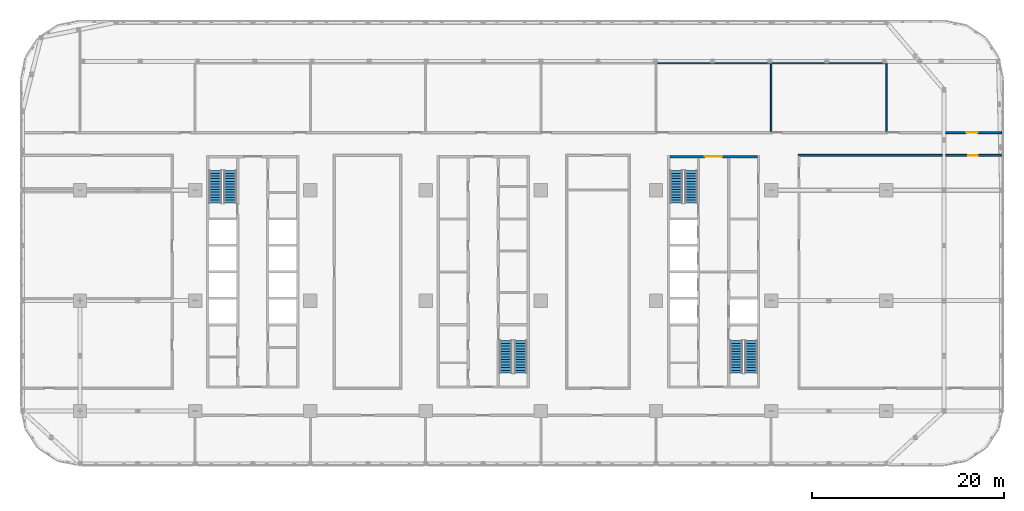
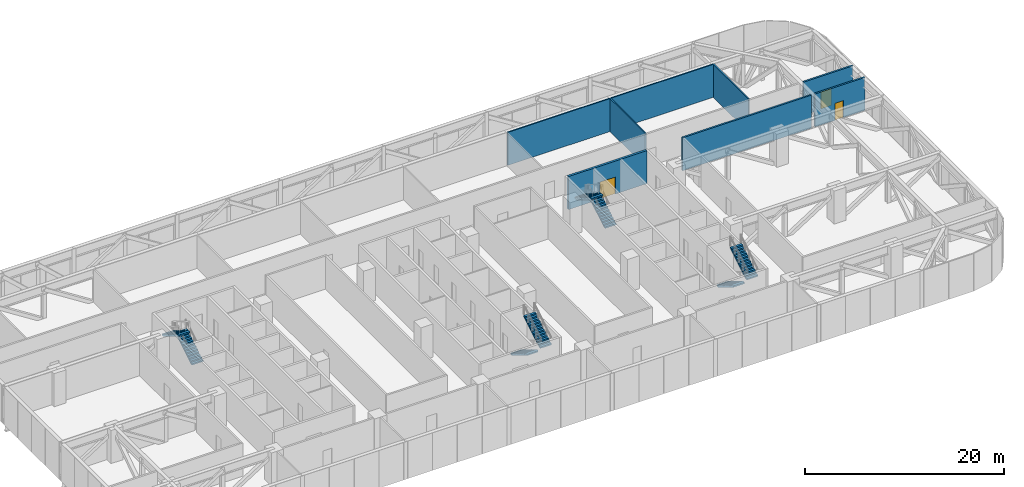
# One storey, part 13 of 26: 8 stair flights, 8 walls, 3 doors, 3 openings, 4 elements without a shape of their own.
"""IFC4 building model written with IfcOpenShell, lengths in metres."""

from ifc_helpers import new_model, si_unit, direction, frame, frame_2d, origin, place, context, subcontext, project, spatial, polyline, rectangle, outline, extrude, material, layer, layer_set, type_object, element, fill, aggregate, save


model = new_model("IFC4")

# Units and contexts
model_context = context("Model", 3, precision=1e-05, world=origin(), true_north=direction((0.0, 1.0)))
body_context = subcontext(model_context, "Body", "Model", "MODEL_VIEW")
ifc_project = project(units=[si_unit("LENGTHUNIT", "METRE"), si_unit("AREAUNIT", "SQUARE_METRE"), si_unit("VOLUMEUNIT", "CUBIC_METRE"), si_unit("PLANEANGLEUNIT", "RADIAN"), si_unit("MASSUNIT", "GRAM", prefix="KILO")], contexts=[model_context])

# Site, building, storey
site_placement = place(None, origin())
site = spatial("IfcSite", under=ifc_project, at=site_placement, CompositionType="ELEMENT")
building_placement = place(site_placement, origin())
building = spatial("IfcBuilding", under=site, at=building_placement, Name="Mahtab Terrace Research Tower", CompositionType="ELEMENT")
storey_placement = place(building_placement, frame((0.0, 0.0, 117.60009765625)))
storey = spatial("IfcBuildingStorey", under=building, at=storey_placement, Name="L27", CompositionType="ELEMENT", Elevation=117.60009765625)

# Wall, opening, door
ifc_material_1 = material(Name="Concrete C70/85", Category="concrete")
ifc_layer_1 = layer(ifc_material_1, 0.25)
ifc_layer_set_1 = layer_set([ifc_layer_1], Name="Core wall 250")
wall_type_1 = type_object("IfcWallType", Name="Core wall 250", PredefinedType="SOLIDWALL", material=ifc_layer_set_1)
wall_1_placement = place(storey_placement, frame((19.449951171875, 15.0, 0.0), z_axis=(0.0, 0.0, 1.0), x_axis=(1.0, 0.0, 0.0)))
wall_1 = element("IfcWall", 1, at=wall_1_placement, inside=storey, type_object=wall_type_1, Name="Core wall C endN", PredefinedType="SOLIDWALL", context=body_context, shape_type="SweptSolid", body=[
    extrude(rectangle(XDim=9.10009765625, YDim=0.25, at=frame_2d((4.550048828125, 0.0))), origin(), (0.0, 0.0, 1.0), 4.059814453125),
])
opening_1_placement = place(wall_1_placement, frame((3.64990234375, 0.0, 0.0)))
opening_1 = element("IfcOpeningElement", 2, at=opening_1_placement, cuts=wall_1, Name="Opening C-N1", PredefinedType="OPENING", context=body_context, shape_type="SweptSolid", body=[
    extrude(rectangle(XDim=1.800048828125, YDim=2.10009765625, at=frame_2d((0.89990234375, 1.050048828125))), frame((0.0, 0.135009765625, 0.0), z_axis=(0.0, -1.0, 0.0), x_axis=(1.0, 0.0, 0.0)), (0.0, 0.0, 1.0), 0.27001953125),
])
ifc_material_2 = material(Name="Steel fire door", Category="steel")
door_type_1 = type_object("IfcDoorType", Name="Lobby double door 1800x2100 1 HR", OperationType="DOUBLE_DOOR_SINGLE_SWING", PredefinedType="DOOR", material=ifc_material_2)
door_1_placement = place(opening_1_placement, origin())
door_1 = element("IfcDoor", 3, at=door_1_placement, inside=storey, type_object=door_type_1, Name="Core entrance door C N", OperationType="DOUBLE_DOOR_SINGLE_SWING", OverallHeight=2.10009765625, OverallWidth=1.800048828125, PredefinedType="DOOR", context=body_context, shape_type="SweptSolid", body=[
    extrude(rectangle(XDim=1.800048828125, YDim=2.10009765625, at=frame_2d((0.89990234375, 1.050048828125))), frame((0.0, 0.02490234375, 0.0), z_axis=(0.0, -1.0, 0.0), x_axis=(1.0, 0.0, 0.0)), (0.0, 0.0, 1.0), 0.050048828125),
])
fill(opening_1, door_1)

# Wall
ifc_material_3 = material(Name="Gypsum board corridor wall on steel studs", Category="steel")
ifc_layer_2 = layer(ifc_material_3, 0.199951171875)
ifc_layer_set_2 = layer_set([ifc_layer_2], Name="WALL CORRIDOR 200")
wall_type_2 = type_object("IfcWallType", Name="WALL CORRIDOR 200", PredefinedType="PARTITIONING", material=ifc_layer_set_2)
wall_2_placement = place(storey_placement, frame((32.800048828125, 15.125, 0.0), z_axis=(0.0, 0.0, 1.0), x_axis=(1.0, 0.0, 0.0)))
element("IfcWall", 4, at=wall_2_placement, inside=storey, type_object=wall_type_2, Name="L27-W022", PredefinedType="PARTITIONING", context=body_context, shape_type="SweptSolid", body=[
    extrude(rectangle(XDim=15.0, YDim=0.199951171875, at=frame_2d((7.5, 0.0))), origin(), (0.0, 0.0, 1.0), 4.059814453125),
])

# Wall, opening, door
wall_3_placement = place(storey_placement, frame((48.199951171875, 15.125, 0.0), z_axis=(0.0, 0.0, 1.0), x_axis=(1.0, 0.0, 0.0)))
wall_3 = element("IfcWall", 5, at=wall_3_placement, inside=storey, type_object=wall_type_2, Name="L27-W023", PredefinedType="PARTITIONING", context=body_context, shape_type="SweptSolid", body=[
    extrude(rectangle(XDim=5.800048828125, YDim=0.199951171875, at=frame_2d((2.89990234375, 0.0))), origin(), (0.0, 0.0, 1.0), 4.059814453125),
])
opening_2_placement = place(wall_3_placement, frame((2.300048828125, 0.0, 0.0)))
opening_2 = element("IfcOpeningElement", 6, at=opening_2_placement, cuts=wall_3, Name="Opening L27-117", PredefinedType="OPENING", context=body_context, shape_type="SweptSolid", body=[
    extrude(rectangle(XDim=1.0, YDim=2.10009765625, at=frame_2d((0.5, 1.050048828125))), frame((0.0, 0.10986328125, 0.0), z_axis=(0.0, -1.0, 0.0), x_axis=(1.0, 0.0, 0.0)), (0.0, 0.0, 1.0), 0.219970703125),
])
ifc_material_4 = material(Name="Timber door leaf in steel frame", Category="steel")
door_type_2 = type_object("IfcDoorType", Name="DOOR 1000X2100 FD30S", OperationType="SINGLE_SWING_LEFT", PredefinedType="DOOR", material=ifc_material_4)
door_2_placement = place(opening_2_placement, origin())
door_2 = element("IfcDoor", 7, at=door_2_placement, inside=storey, type_object=door_type_2, Name="Door L27-117", OperationType="SINGLE_SWING_LEFT", OverallHeight=2.10009765625, OverallWidth=1.0, PredefinedType="DOOR", context=body_context, shape_type="SweptSolid", body=[
    extrude(rectangle(XDim=1.0, YDim=2.10009765625, at=frame_2d((0.5, 1.050048828125))), frame((0.0, 0.02490234375, 0.0), z_axis=(0.0, -1.0, 0.0), x_axis=(1.0, 0.0, 0.0)), (0.0, 0.0, 1.0), 0.050048828125),
])
fill(opening_2, door_2)

wall_4_placement = place(storey_placement, frame((48.199951171875, 17.5, 0.0), z_axis=(0.0, 0.0, 1.0), x_axis=(1.0, 0.0, 0.0)))
wall_4 = element("IfcWall", 8, at=wall_4_placement, inside=storey, type_object=wall_type_2, Name="L27-W025", PredefinedType="PARTITIONING", context=body_context, shape_type="SweptSolid", body=[
    extrude(rectangle(XDim=5.800048828125, YDim=0.199951171875, at=frame_2d((2.89990234375, 0.0))), origin(), (0.0, 0.0, 1.0), 4.059814453125),
])
opening_3_placement = place(wall_4_placement, frame((2.10009765625, 0.0, 0.0)))
opening_3 = element("IfcOpeningElement", 9, at=opening_3_placement, cuts=wall_4, Name="Opening L27-127", PredefinedType="OPENING", context=body_context, shape_type="SweptSolid", body=[
    extrude(rectangle(XDim=1.199951171875, YDim=2.10009765625, at=frame_2d((0.60009765625, 1.050048828125))), frame((0.0, 0.10986328125, 0.0), z_axis=(0.0, -1.0, 0.0), x_axis=(1.0, 0.0, 0.0)), (0.0, 0.0, 1.0), 0.219970703125),
])
door_type_3 = type_object("IfcDoorType", Name="DOOR 1200X2100 FD30S", OperationType="SINGLE_SWING_LEFT", PredefinedType="DOOR", material=ifc_material_4)
door_3_placement = place(opening_3_placement, origin())
door_3 = element("IfcDoor", 10, at=door_3_placement, inside=storey, type_object=door_type_3, Name="Door L27-127", OperationType="SINGLE_SWING_LEFT", OverallHeight=2.10009765625, OverallWidth=1.199951171875, PredefinedType="DOOR", context=body_context, shape_type="SweptSolid", body=[
    extrude(rectangle(XDim=1.199951171875, YDim=2.10009765625, at=frame_2d((0.60009765625, 1.050048828125))), frame((0.0, 0.02490234375, 0.0), z_axis=(0.0, -1.0, 0.0), x_axis=(1.0, 0.0, 0.0)), (0.0, 0.0, 1.0), 0.050048828125),
])
fill(opening_3, door_3)

# Walls
ifc_material_5 = material(Name="Gypsum board partition on steel studs", Category="steel")
ifc_layer_3 = layer(ifc_material_5, 0.14990234375)
ifc_layer_set_3 = layer_set([ifc_layer_3], Name="WALL PARTITION 150")
wall_type_3 = type_object("IfcWallType", Name="WALL PARTITION 150", PredefinedType="PARTITIONING", material=ifc_layer_set_3)
for number, where, z_axis, x_axis, name in (
    (11, (18.050048828125, 24.72705078125, 0.0), (0.0, 0.0, 1.0), (1.0, 0.0, 0.0), "L27-W030"),
    (12, (30.050048828125, 24.72705078125, 0.0), (0.0, 0.0, 1.0), (1.0, 0.0, 0.0), "L27-W031"),
):
    element("IfcWall", number, at=place(storey_placement, frame(where, z_axis=z_axis, x_axis=x_axis)), inside=storey, type_object=wall_type_3, Name=name, PredefinedType="PARTITIONING", context=body_context, shape_type="SweptSolid", body=[
        extrude(rectangle(XDim=11.89990234375, YDim=0.14990234375, at=frame_2d((5.949951171875, 0.0))), origin(), (0.0, 0.0, 1.0), 4.059814453125),
    ])
for number, where, z_axis, x_axis, name in (
    (13, (30.0, 17.60009765625, 0.0), (0.0, 0.0, 1.0), (0.0, 1.0, 0.0), "L27-W051"),
    (14, (42.0, 17.60009765625, 0.0), (0.0, 0.0, 1.0), (0.0, 1.0, 0.0), "L27-W055"),
):
    element("IfcWall", number, at=place(storey_placement, frame(where, z_axis=z_axis, x_axis=x_axis)), inside=storey, type_object=wall_type_3, Name=name, PredefinedType="PARTITIONING", context=body_context, shape_type="SweptSolid", body=[
        extrude(rectangle(XDim=7.126953125, YDim=0.14990234375, at=frame_2d((3.5634765625, 0.0))), origin(), (0.0, 0.0, 1.0), 4.059814453125),
    ])

# Stair, stair flights
ifc_material_6 = material(Name="Exit stair half-turn")
stair_type = type_object("IfcStairType", Name="Exit stair half-turn", PredefinedType="HALF_TURN_STAIR", material=ifc_material_6)
stair_1_placement = place(storey_placement, origin())
stair_1 = element("IfcStair", 15, at=stair_1_placement, inside=storey, type_object=stair_type, Name="L27 Protected exit stair ST1", PredefinedType="HALF_TURN_STAIR")
ifc_material_7 = material(Name="Concrete C40/50", Category="concrete")
stair_flight_type = type_object("IfcStairFlightType", Name="Exit stair flight 1300", PredefinedType="STRAIGHT", material=ifc_material_7)
stair_flight_1_placement = place(storey_placement, frame((-26.35009765625, 10.175048828125, 0.0), z_axis=(0.0, 0.0, 1.0), x_axis=(0.0, 1.0, 0.0)))
stair_flight_1 = element("IfcStairFlight", 16, at=stair_flight_1_placement, type_object=stair_flight_type, Name="ST1 flight 1", NumberOfRisers=13, NumberOfTreads=12, PredefinedType="STRAIGHT", RiserHeight=0.169230769, TreadLength=0.28, context=body_context, shape_type="SweptSolid", body=[
    extrude(outline(polyline([(0.0, 0.0), (0.0, 0.169189453125), (0.280029296875, 0.169189453125), (0.280029296875, 0.33837890625), (0.56005859375, 0.33837890625), (0.56005859375, 0.5078125), (0.840087890625, 0.5078125), (0.840087890625, 0.677001953125), (1.1201171875, 0.677001953125), (1.1201171875, 0.84619140625), (1.39990234375, 0.84619140625), (1.39990234375, 1.015380859375), (1.679931640625, 1.015380859375), (1.679931640625, 1.1845703125), (1.9599609375, 1.1845703125), (1.9599609375, 1.353759765625), (2.239990234375, 1.353759765625), (2.239990234375, 1.523193359375), (2.52001953125, 1.523193359375), (2.52001953125, 1.6923828125), (2.800048828125, 1.6923828125), (2.800048828125, 1.861572265625), (3.080078125, 1.861572265625), (3.080078125, 2.03076171875), (3.360107421875, 2.03076171875), (3.360107421875, 2.199951171875), (3.360107421875, 1.855712890625), (0.289794921875, 0.0), (0.0, 0.0)])), frame((0.0, 0.64990234375, 0.0), z_axis=(0.0, -1.0, 0.0), x_axis=(1.0, 0.0, 0.0)), (0.0, 0.0, 1.0), 1.300048828125),
])
stair_flight_2_placement = place(storey_placement, frame((-27.89990234375, 13.534912109375, 2.199951171875), z_axis=(0.0, 0.0, 1.0), x_axis=(0.0, -1.0, 0.0)))
stair_flight_2 = element("IfcStairFlight", 17, at=stair_flight_2_placement, type_object=stair_flight_type, Name="ST1 flight 2", NumberOfRisers=13, NumberOfTreads=12, PredefinedType="STRAIGHT", RiserHeight=0.169230769, TreadLength=0.28, context=body_context, shape_type="SweptSolid", body=[
    extrude(outline(polyline([(0.0, 0.0), (0.0, 0.169189453125), (0.280029296875, 0.169189453125), (0.280029296875, 0.33837890625), (0.56005859375, 0.33837890625), (0.56005859375, 0.5078125), (0.840087890625, 0.5078125), (0.840087890625, 0.677001953125), (1.1201171875, 0.677001953125), (1.1201171875, 0.84619140625), (1.39990234375, 0.84619140625), (1.39990234375, 1.015380859375), (1.679931640625, 1.015380859375), (1.679931640625, 1.1845703125), (1.9599609375, 1.1845703125), (1.9599609375, 1.353759765625), (2.239990234375, 1.353759765625), (2.239990234375, 1.523193359375), (2.52001953125, 1.523193359375), (2.52001953125, 1.6923828125), (2.800048828125, 1.6923828125), (2.800048828125, 1.861572265625), (3.080078125, 1.861572265625), (3.080078125, 2.03076171875), (3.360107421875, 2.03076171875), (3.360107421875, 2.199951171875), (3.360107421875, 1.855712890625), (0.289794921875, 0.0), (0.0, 0.0)])), frame((0.0, 0.64990234375, 0.0), z_axis=(0.0, -1.0, 0.0), x_axis=(1.0, 0.0, 0.0)), (0.0, 0.0, 1.0), 1.300048828125),
])
aggregate(stair_1, [stair_flight_1, stair_flight_2])

stair_2_placement = place(storey_placement, origin())
stair_2 = element("IfcStair", 18, at=stair_2_placement, inside=storey, type_object=stair_type, Name="L27 Protected exit stair ST2", PredefinedType="HALF_TURN_STAIR")
stair_flight_3_placement = place(storey_placement, frame((2.35009765625, -4.175048828125, 0.0), z_axis=(0.0, 0.0, 1.0), x_axis=(0.0, -1.0, 0.0)))
stair_flight_3 = element("IfcStairFlight", 19, at=stair_flight_3_placement, type_object=stair_flight_type, Name="ST2 flight 1", NumberOfRisers=13, NumberOfTreads=12, PredefinedType="STRAIGHT", RiserHeight=0.169230769, TreadLength=0.28, context=body_context, shape_type="SweptSolid", body=[
    extrude(outline(polyline([(0.0, 0.0), (0.0, 0.169189453125), (0.280029296875, 0.169189453125), (0.280029296875, 0.33837890625), (0.56005859375, 0.33837890625), (0.56005859375, 0.5078125), (0.840087890625, 0.5078125), (0.840087890625, 0.677001953125), (1.1201171875, 0.677001953125), (1.1201171875, 0.84619140625), (1.39990234375, 0.84619140625), (1.39990234375, 1.015380859375), (1.679931640625, 1.015380859375), (1.679931640625, 1.1845703125), (1.9599609375, 1.1845703125), (1.9599609375, 1.353759765625), (2.239990234375, 1.353759765625), (2.239990234375, 1.523193359375), (2.52001953125, 1.523193359375), (2.52001953125, 1.6923828125), (2.800048828125, 1.6923828125), (2.800048828125, 1.861572265625), (3.080078125, 1.861572265625), (3.080078125, 2.03076171875), (3.360107421875, 2.03076171875), (3.360107421875, 2.199951171875), (3.360107421875, 1.855712890625), (0.289794921875, 0.0), (0.0, 0.0)])), frame((0.0, 0.64990234375, 0.0), z_axis=(0.0, -1.0, 0.0), x_axis=(1.0, 0.0, 0.0)), (0.0, 0.0, 1.0), 1.300048828125),
])
stair_flight_4_placement = place(storey_placement, frame((3.89990234375, -7.534912109375, 2.199951171875), z_axis=(0.0, 0.0, 1.0), x_axis=(0.0, 1.0, 0.0)))
stair_flight_4 = element("IfcStairFlight", 20, at=stair_flight_4_placement, type_object=stair_flight_type, Name="ST2 flight 2", NumberOfRisers=13, NumberOfTreads=12, PredefinedType="STRAIGHT", RiserHeight=0.169230769, TreadLength=0.28, context=body_context, shape_type="SweptSolid", body=[
    extrude(outline(polyline([(0.0, 0.0), (0.0, 0.169189453125), (0.280029296875, 0.169189453125), (0.280029296875, 0.33837890625), (0.56005859375, 0.33837890625), (0.56005859375, 0.5078125), (0.840087890625, 0.5078125), (0.840087890625, 0.677001953125), (1.1201171875, 0.677001953125), (1.1201171875, 0.84619140625), (1.39990234375, 0.84619140625), (1.39990234375, 1.015380859375), (1.679931640625, 1.015380859375), (1.679931640625, 1.1845703125), (1.9599609375, 1.1845703125), (1.9599609375, 1.353759765625), (2.239990234375, 1.353759765625), (2.239990234375, 1.523193359375), (2.52001953125, 1.523193359375), (2.52001953125, 1.6923828125), (2.800048828125, 1.6923828125), (2.800048828125, 1.861572265625), (3.080078125, 1.861572265625), (3.080078125, 2.03076171875), (3.360107421875, 2.03076171875), (3.360107421875, 2.199951171875), (3.360107421875, 1.855712890625), (0.289794921875, 0.0), (0.0, 0.0)])), frame((0.0, 0.64990234375, 0.0), z_axis=(0.0, -1.0, 0.0), x_axis=(1.0, 0.0, 0.0)), (0.0, 0.0, 1.0), 1.300048828125),
])
aggregate(stair_2, [stair_flight_3, stair_flight_4])

stair_3_placement = place(storey_placement, origin())
stair_3 = element("IfcStair", 21, at=stair_3_placement, inside=storey, type_object=stair_type, Name="L27 Protected exit stair ST3", PredefinedType="HALF_TURN_STAIR")
stair_flight_5_placement = place(storey_placement, frame((21.64990234375, 10.175048828125, 0.0), z_axis=(0.0, 0.0, 1.0), x_axis=(0.0, 1.0, 0.0)))
stair_flight_5 = element("IfcStairFlight", 22, at=stair_flight_5_placement, type_object=stair_flight_type, Name="ST3 flight 1", NumberOfRisers=13, NumberOfTreads=12, PredefinedType="STRAIGHT", RiserHeight=0.169230769, TreadLength=0.28, context=body_context, shape_type="SweptSolid", body=[
    extrude(outline(polyline([(0.0, 0.0), (0.0, 0.169189453125), (0.280029296875, 0.169189453125), (0.280029296875, 0.33837890625), (0.56005859375, 0.33837890625), (0.56005859375, 0.5078125), (0.840087890625, 0.5078125), (0.840087890625, 0.677001953125), (1.1201171875, 0.677001953125), (1.1201171875, 0.84619140625), (1.39990234375, 0.84619140625), (1.39990234375, 1.015380859375), (1.679931640625, 1.015380859375), (1.679931640625, 1.1845703125), (1.9599609375, 1.1845703125), (1.9599609375, 1.353759765625), (2.239990234375, 1.353759765625), (2.239990234375, 1.523193359375), (2.52001953125, 1.523193359375), (2.52001953125, 1.6923828125), (2.800048828125, 1.6923828125), (2.800048828125, 1.861572265625), (3.080078125, 1.861572265625), (3.080078125, 2.03076171875), (3.360107421875, 2.03076171875), (3.360107421875, 2.199951171875), (3.360107421875, 1.855712890625), (0.289794921875, 0.0), (0.0, 0.0)])), frame((0.0, 0.64990234375, 0.0), z_axis=(0.0, -1.0, 0.0), x_axis=(1.0, 0.0, 0.0)), (0.0, 0.0, 1.0), 1.300048828125),
])
stair_flight_6_placement = place(storey_placement, frame((20.10009765625, 13.534912109375, 2.199951171875), z_axis=(0.0, 0.0, 1.0), x_axis=(0.0, -1.0, 0.0)))
stair_flight_6 = element("IfcStairFlight", 23, at=stair_flight_6_placement, type_object=stair_flight_type, Name="ST3 flight 2", NumberOfRisers=13, NumberOfTreads=12, PredefinedType="STRAIGHT", RiserHeight=0.169230769, TreadLength=0.28, context=body_context, shape_type="SweptSolid", body=[
    extrude(outline(polyline([(0.0, 0.0), (0.0, 0.169189453125), (0.280029296875, 0.169189453125), (0.280029296875, 0.33837890625), (0.56005859375, 0.33837890625), (0.56005859375, 0.5078125), (0.840087890625, 0.5078125), (0.840087890625, 0.677001953125), (1.1201171875, 0.677001953125), (1.1201171875, 0.84619140625), (1.39990234375, 0.84619140625), (1.39990234375, 1.015380859375), (1.679931640625, 1.015380859375), (1.679931640625, 1.1845703125), (1.9599609375, 1.1845703125), (1.9599609375, 1.353759765625), (2.239990234375, 1.353759765625), (2.239990234375, 1.523193359375), (2.52001953125, 1.523193359375), (2.52001953125, 1.6923828125), (2.800048828125, 1.6923828125), (2.800048828125, 1.861572265625), (3.080078125, 1.861572265625), (3.080078125, 2.03076171875), (3.360107421875, 2.03076171875), (3.360107421875, 2.199951171875), (3.360107421875, 1.855712890625), (0.289794921875, 0.0), (0.0, 0.0)])), frame((0.0, 0.64990234375, 0.0), z_axis=(0.0, -1.0, 0.0), x_axis=(1.0, 0.0, 0.0)), (0.0, 0.0, 1.0), 1.300048828125),
])
aggregate(stair_3, [stair_flight_5, stair_flight_6])

stair_4_placement = place(storey_placement, origin())
stair_4 = element("IfcStair", 24, at=stair_4_placement, inside=storey, type_object=stair_type, Name="L27 Protected exit stair ST4", PredefinedType="HALF_TURN_STAIR")
stair_flight_7_placement = place(storey_placement, frame((26.35009765625, -4.175048828125, 0.0), z_axis=(0.0, 0.0, 1.0), x_axis=(0.0, -1.0, 0.0)))
stair_flight_7 = element("IfcStairFlight", 25, at=stair_flight_7_placement, type_object=stair_flight_type, Name="ST4 flight 1", NumberOfRisers=13, NumberOfTreads=12, PredefinedType="STRAIGHT", RiserHeight=0.169230769, TreadLength=0.28, context=body_context, shape_type="SweptSolid", body=[
    extrude(outline(polyline([(0.0, 0.0), (0.0, 0.169189453125), (0.280029296875, 0.169189453125), (0.280029296875, 0.33837890625), (0.56005859375, 0.33837890625), (0.56005859375, 0.5078125), (0.840087890625, 0.5078125), (0.840087890625, 0.677001953125), (1.1201171875, 0.677001953125), (1.1201171875, 0.84619140625), (1.39990234375, 0.84619140625), (1.39990234375, 1.015380859375), (1.679931640625, 1.015380859375), (1.679931640625, 1.1845703125), (1.9599609375, 1.1845703125), (1.9599609375, 1.353759765625), (2.239990234375, 1.353759765625), (2.239990234375, 1.523193359375), (2.52001953125, 1.523193359375), (2.52001953125, 1.6923828125), (2.800048828125, 1.6923828125), (2.800048828125, 1.861572265625), (3.080078125, 1.861572265625), (3.080078125, 2.03076171875), (3.360107421875, 2.03076171875), (3.360107421875, 2.199951171875), (3.360107421875, 1.855712890625), (0.289794921875, 0.0), (0.0, 0.0)])), frame((0.0, 0.64990234375, 0.0), z_axis=(0.0, -1.0, 0.0), x_axis=(1.0, 0.0, 0.0)), (0.0, 0.0, 1.0), 1.300048828125),
])
stair_flight_8_placement = place(storey_placement, frame((27.89990234375, -7.534912109375, 2.199951171875), z_axis=(0.0, 0.0, 1.0), x_axis=(0.0, 1.0, 0.0)))
stair_flight_8 = element("IfcStairFlight", 26, at=stair_flight_8_placement, type_object=stair_flight_type, Name="ST4 flight 2", NumberOfRisers=13, NumberOfTreads=12, PredefinedType="STRAIGHT", RiserHeight=0.169230769, TreadLength=0.28, context=body_context, shape_type="SweptSolid", body=[
    extrude(outline(polyline([(0.0, 0.0), (0.0, 0.169189453125), (0.280029296875, 0.169189453125), (0.280029296875, 0.33837890625), (0.56005859375, 0.33837890625), (0.56005859375, 0.5078125), (0.840087890625, 0.5078125), (0.840087890625, 0.677001953125), (1.1201171875, 0.677001953125), (1.1201171875, 0.84619140625), (1.39990234375, 0.84619140625), (1.39990234375, 1.015380859375), (1.679931640625, 1.015380859375), (1.679931640625, 1.1845703125), (1.9599609375, 1.1845703125), (1.9599609375, 1.353759765625), (2.239990234375, 1.353759765625), (2.239990234375, 1.523193359375), (2.52001953125, 1.523193359375), (2.52001953125, 1.6923828125), (2.800048828125, 1.6923828125), (2.800048828125, 1.861572265625), (3.080078125, 1.861572265625), (3.080078125, 2.03076171875), (3.360107421875, 2.03076171875), (3.360107421875, 2.199951171875), (3.360107421875, 1.855712890625), (0.289794921875, 0.0), (0.0, 0.0)])), frame((0.0, 0.64990234375, 0.0), z_axis=(0.0, -1.0, 0.0), x_axis=(1.0, 0.0, 0.0)), (0.0, 0.0, 1.0), 1.300048828125),
])
aggregate(stair_4, [stair_flight_7, stair_flight_8])

save(model, "model.ifc")
